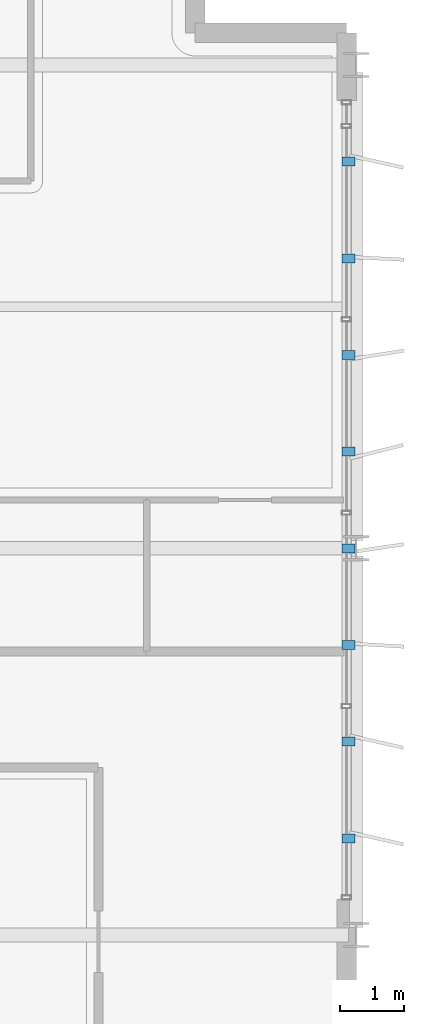
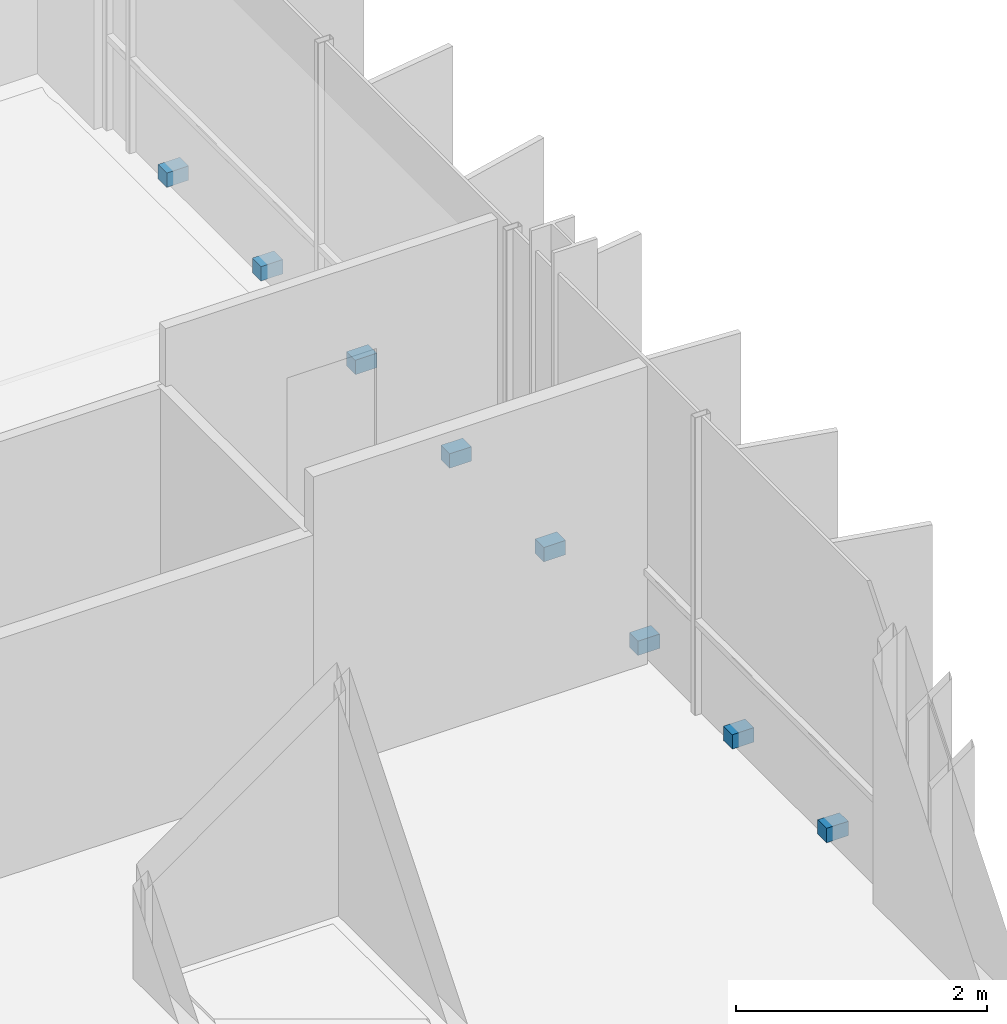
# One storey, part 34 of 38: 8 discrete accessories.
"""IFC4 building model written with IfcOpenShell, lengths in metres."""

from ifc_helpers import new_model, si_unit, direction, frame, origin, origin_2d, place, context, subcontext, project, spatial, rectangle, extrude, material, type_object, element, save


model = new_model("IFC4")

# Units and contexts
model_context = context("Model", 3, precision=1e-05, world=origin(), true_north=direction((0.0, 1.0)))
body_context = subcontext(model_context, "Body", "Model", "MODEL_VIEW")
ifc_project = project(units=[si_unit("LENGTHUNIT", "METRE"), si_unit("AREAUNIT", "SQUARE_METRE"), si_unit("VOLUMEUNIT", "CUBIC_METRE"), si_unit("PLANEANGLEUNIT", "RADIAN"), si_unit("MASSUNIT", "GRAM", prefix="KILO")], contexts=[model_context])

# Site, building, storey
site_placement = place(None, origin())
site = spatial("IfcSite", under=ifc_project, at=site_placement, CompositionType="ELEMENT")
building_placement = place(site_placement, origin())
building = spatial("IfcBuilding", under=site, at=building_placement, Name="Brevholm Reach", CompositionType="ELEMENT")
storey_placement = place(building_placement, frame((0.0, 0.0, 186.300048828125)))
storey = spatial("IfcBuildingStorey", under=building, at=storey_placement, Name="L56", CompositionType="ELEMENT", Elevation=186.300048828125)

# Discrete accessories
ifc_material = material(Name="Duplex Stainless Steel EN 1.4462", Category="steel")
discrete_accessory_type = type_object("IfcDiscreteAccessoryType", Name="ACC-BRK-01", PredefinedType="BRACKET", material=ifc_material)
for number, where, z_axis, x_axis, name in (
    (1, (59.8798828125, 11.5, 0.02978515625), (0.0, 0.0, 1.0), (1.0, 0.0, 0.0), "L56 Solar Screen Support Bracket 1"),
    (2, (59.8798828125, 13.0, 0.02978515625), (0.0, 0.0, 1.0), (1.0, 0.0, 0.0), "L56 Solar Screen Support Bracket 2"),
    (3, (59.8798828125, 14.5, 0.02978515625), (0.0, 0.0, 1.0), (1.0, 0.0, 0.0), "L56 Solar Screen Support Bracket 3"),
    (4, (59.8798828125, 16.0, 0.02978515625), (0.0, 0.0, 1.0), (1.0, 0.0, 0.0), "L56 Solar Screen Support Bracket 4"),
    (5, (59.8798828125, 17.5, 0.02978515625), (0.0, 0.0, 1.0), (1.0, 0.0, 0.0), "L56 Solar Screen Support Bracket 5"),
    (6, (59.8798828125, 19.0, 0.02978515625), (0.0, 0.0, 1.0), (1.0, 0.0, 0.0), "L56 Solar Screen Support Bracket 6"),
    (7, (59.8798828125, 20.5, 0.02978515625), (0.0, 0.0, 1.0), (1.0, 0.0, 0.0), "L56 Solar Screen Support Bracket 7"),
    (8, (59.8798828125, 22.0, 0.02978515625), (0.0, 0.0, 1.0), (1.0, 0.0, 0.0), "L56 Solar Screen Support Bracket 8"),
):
    element("IfcDiscreteAccessory", number, at=place(storey_placement, frame(where, z_axis=z_axis, x_axis=x_axis)), inside=storey, type_object=discrete_accessory_type, Name=name, PredefinedType="BRACKET", context=body_context, shape_type="SweptSolid", body=[
        extrude(rectangle(XDim=0.199951171875, YDim=0.139892578125, at=origin_2d()), origin(), (0.0, 0.0, 1.0), 0.139892578125),
    ])

save(model, "model.ifc")
